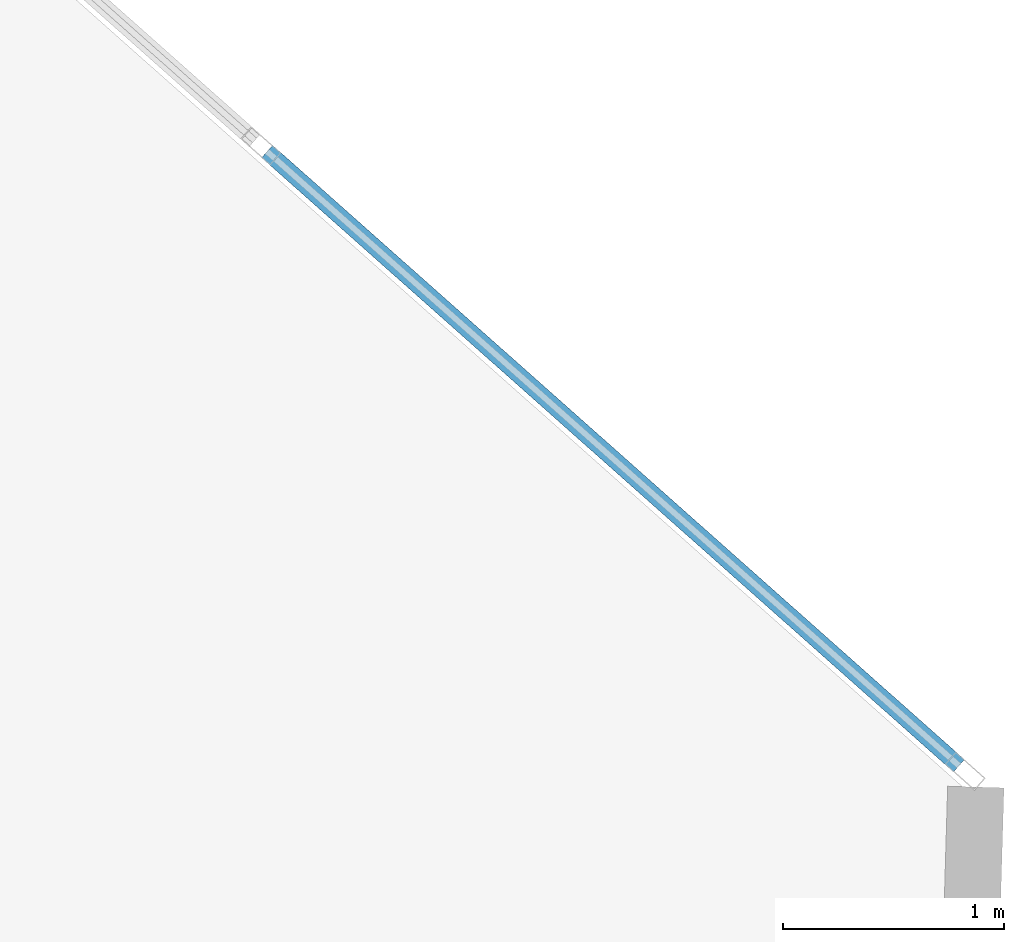
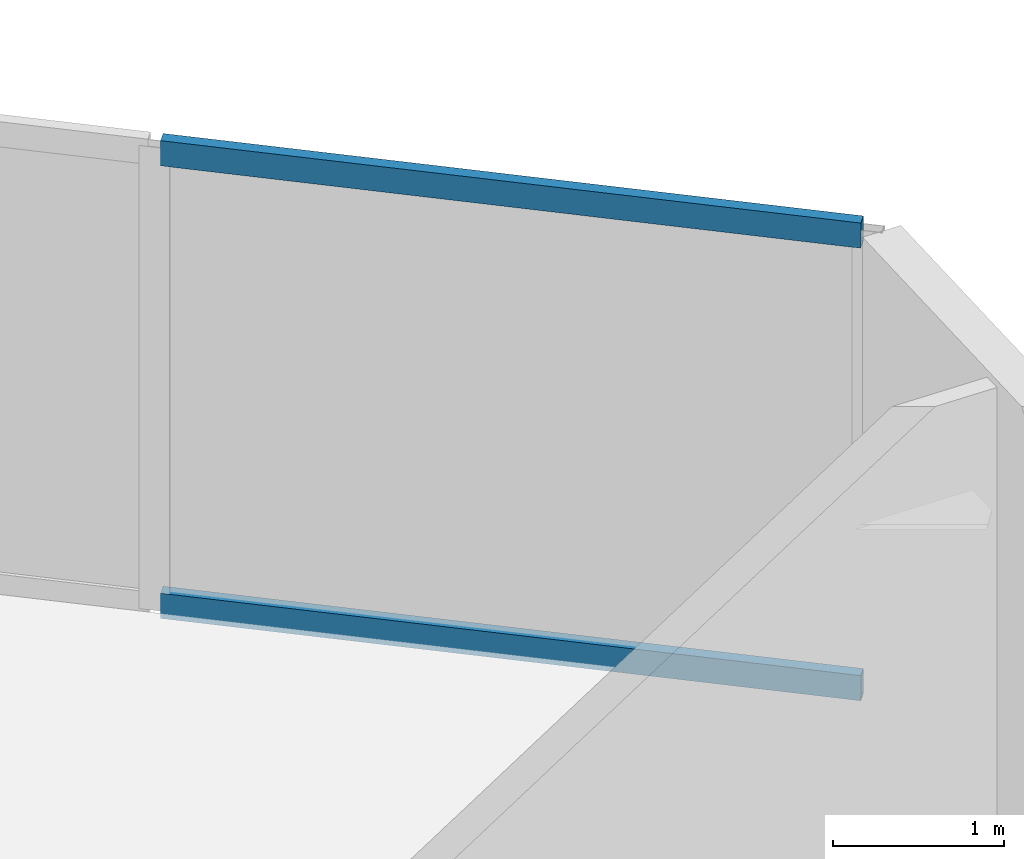
# One storey, part 15 of 24: 2 members, 1 element without a shape of its own.
"""IFC4 building model written with IfcOpenShell, lengths in metres."""

from ifc_helpers import new_model, si_unit, direction, frame, origin, origin_2d, place, context, subcontext, project, spatial, hollow_rectangle, extrude, source, transform, mapped, material, layer, layer_set, material_profile, profile_set, type_object, type_shapes, element, aggregate, save


model = new_model("IFC4")

# Units and contexts
model_context = context("Model", 3, precision=1e-05, world=origin(), true_north=direction((0.0, 1.0)))
body_context = subcontext(model_context, "Body", "Model", "MODEL_VIEW")
ifc_project = project(units=[si_unit("LENGTHUNIT", "METRE"), si_unit("AREAUNIT", "SQUARE_METRE"), si_unit("VOLUMEUNIT", "CUBIC_METRE"), si_unit("PLANEANGLEUNIT", "RADIAN"), si_unit("MASSUNIT", "GRAM", prefix="KILO")], contexts=[model_context])

# Site, building, storey
site_placement = place(None, origin())
site = spatial("IfcSite", under=ifc_project, at=site_placement, CompositionType="ELEMENT")
building_placement = place(site_placement, origin())
building = spatial("IfcBuilding", under=site, at=building_placement, Name="Talar Marvaseh", CompositionType="ELEMENT")
storey_placement = place(building_placement, frame((0.0, 0.0, 111.0)))
storey = spatial("IfcBuildingStorey", under=building, at=storey_placement, Name="L28", CompositionType="ELEMENT", Elevation=111.0)

# Curtain wall, members
ifc_material = material(Name="Architectural Aluminium", Category="aluminium")
ifc_layer = layer(ifc_material, 0.199951171875)
ifc_layer_set = layer_set([ifc_layer], Name="Architectural Aluminium")
curtain_wall_type = type_object("IfcCurtainWallType", Name="Unitised Acoustic Library Curtain Wall Z2", PredefinedType="NOTDEFINED", material=ifc_layer_set)
curtain_wall_placement = place(storey_placement, origin())
curtain_wall = element("IfcCurtainWall", 1, at=curtain_wall_placement, inside=storey, type_object=curtain_wall_type, Name="L28 Unitised Acoustic Library Curtain Wall Z2", PredefinedType="NOTDEFINED")
ifc_material_profile = material_profile(ifc_material, hollow_rectangle(XDim=0.074951171875, YDim=0.179931640625, WallThickness=0.0048828125, at=origin_2d()), Name="RHS180x75x5")
ifc_profile_set = profile_set([ifc_material_profile], Name="Architectural Aluminium")
member_type = type_object("IfcMemberType", Name="Unitised Curtain Wall Transom RHS180x75x5", PredefinedType="USERDEFINED", material=ifc_profile_set)
shared_shape = source(origin(), body_context, "Body", "SweptSolid", [
    extrude(hollow_rectangle(XDim=0.074951171875, YDim=0.179931640625, WallThickness=0.0048828125, at=origin_2d()), origin(), (0.0, 0.0, 1.0), 4.185302734375),
])
type_shapes(member_type, [shared_shape])
member_1_placement = place(storey_placement, frame((45.615478515625, 36.171875, 0.03759765625), z_axis=(0.747830775938, -0.66388939633, 0.0), x_axis=(0.66388939633, 0.747830775938, 0.0)))
member_1 = element("IfcMember", 2, at=member_1_placement, type_object=member_type, Name="CW-Z2 transom 4.1", ObjectType="TRANSOM", PredefinedType="USERDEFINED", context=body_context, shape_type="MappedRepresentation", body=[
    mapped(shared_shape, transform((0.0, 0.0, 0.0), x_axis=(1.0, 0.0, 0.0), y_axis=(0.0, 1.0, 0.0), z_axis=(0.0, 0.0, 1.0), scale=1.0)),
])
member_2_placement = place(storey_placement, frame((45.615478515625, 36.171875, 3.2724609375), z_axis=(0.747830775938, -0.66388939633, 0.0), x_axis=(0.66388939633, 0.747830775938, 0.0)))
member_2 = element("IfcMember", 3, at=member_2_placement, type_object=member_type, Name="CW-Z2 transom 4.2", ObjectType="TRANSOM", PredefinedType="USERDEFINED", context=body_context, shape_type="MappedRepresentation", body=[
    mapped(shared_shape, transform((0.0, 0.0, 0.0), x_axis=(1.0, 0.0, 0.0), y_axis=(0.0, 1.0, 0.0), z_axis=(0.0, 0.0, 1.0), scale=1.0)),
])
aggregate(curtain_wall, [member_1, member_2])

save(model, "model.ifc")
